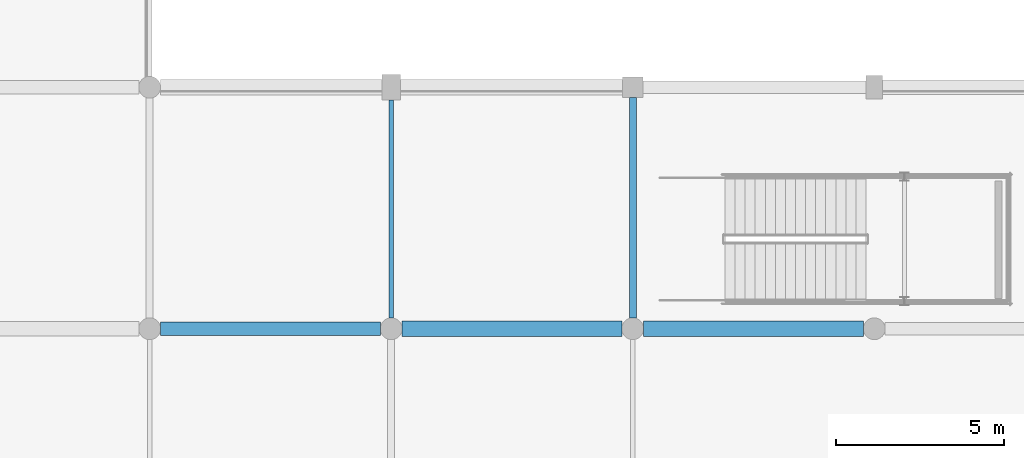
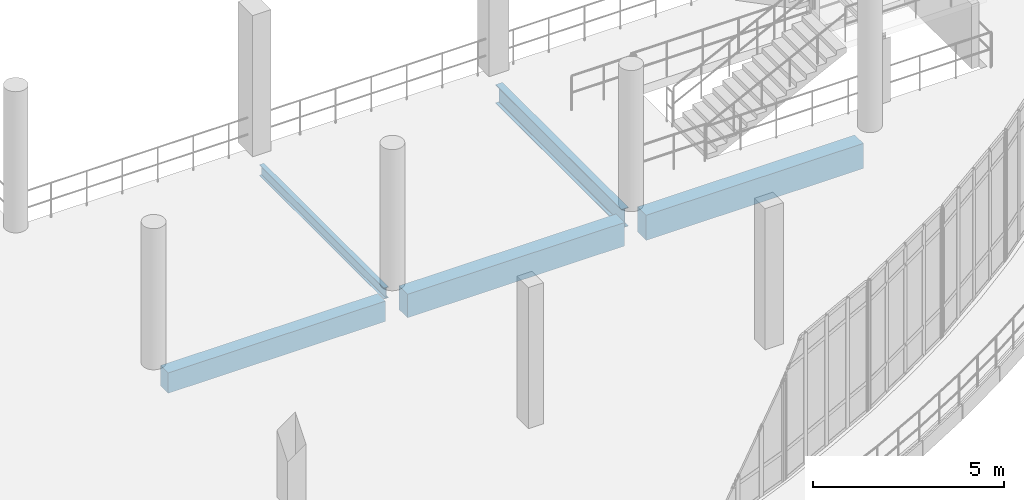
# One storey, part 38 of 124: 5 beams.
"""IFC4 building model written with IfcOpenShell, lengths in metres."""

from ifc_helpers import new_model, si_unit, direction, frame, origin, origin_2d, place, context, subcontext, project, spatial, rectangle, i_section, extrude, material, material_profile, profile_set, type_object, element, save


model = new_model("IFC4")

# Units and contexts
model_context = context("Model", 3, precision=1e-05, world=origin(), true_north=direction((0.0, 1.0)))
body_context = subcontext(model_context, "Body", "Model", "MODEL_VIEW")
ifc_project = project(units=[si_unit("LENGTHUNIT", "METRE"), si_unit("AREAUNIT", "SQUARE_METRE"), si_unit("VOLUMEUNIT", "CUBIC_METRE"), si_unit("PLANEANGLEUNIT", "RADIAN"), si_unit("MASSUNIT", "GRAM", prefix="KILO")], contexts=[model_context])

# Site, building, storey
site_placement = place(None, origin())
site = spatial("IfcSite", under=ifc_project, at=site_placement, CompositionType="ELEMENT")
building_placement = place(site_placement, origin())
building = spatial("IfcBuilding", under=site, at=building_placement, Name="Kalluvel Institute of Natural Sciences", CompositionType="ELEMENT")
storey_placement = place(building_placement, frame((0.0, 0.0, 9.89990234375)))
storey = spatial("IfcBuildingStorey", under=building, at=storey_placement, Name="L02", CompositionType="ELEMENT", Elevation=9.89990234375)

# Beams
ifc_material_1 = material(Name="Steel E350 Grade 350", Category="steel")
ifc_material_profile_1 = material_profile(ifc_material_1, i_section(OverallWidth=0.139892578125, OverallDepth=0.35009765625, WebThickness=0.008056640625, FlangeThickness=0.01416015625, FilletRadius=0.013916015625, at=origin_2d()), Name="ISMB 350")
ifc_profile_set_1 = profile_set([ifc_material_profile_1], Name="Steel E350 Grade 350")
beam_type_1 = type_object("IfcBeamType", Name="BM-ISMB350", PredefinedType="BEAM", material=ifc_profile_set_1)
beam_1_placement = place(storey_placement, frame((50.0, 71.925048828125, -0.494873046875), z_axis=(0.0, 1.0, 0.0), x_axis=(-1.0, 0.0, 0.0)))
element("IfcBeam", 1, at=beam_1_placement, inside=storey, type_object=beam_type_1, Name="L02 girder GIR-L02-NS-X500-Y716", PredefinedType="BEAM", context=body_context, shape_type="SweptSolid", body=[
    extrude(i_section(OverallWidth=0.139892578125, OverallDepth=0.35009765625, WebThickness=0.008056640625, FlangeThickness=0.01416015625, FilletRadius=0.013916015625, at=origin_2d()), origin(), (0.0, 0.0, 1.0), 6.5),
])
ifc_material_profile_2 = material_profile(ifc_material_1, i_section(OverallWidth=0.2099609375, OverallDepth=0.60009765625, WebThickness=0.011962890625, FlangeThickness=0.020751953125, FilletRadius=0.02001953125, at=origin_2d()), Name="ISMB 600")
ifc_profile_set_2 = profile_set([ifc_material_profile_2], Name="Steel E350 Grade 350")
beam_type_2 = type_object("IfcBeamType", Name="BM-ISMB600", PredefinedType="BEAM", material=ifc_profile_set_2)
beam_2_placement = place(storey_placement, frame((57.199951171875, 71.925048828125, -0.619873046875), z_axis=(0.0, 1.0, 0.0), x_axis=(-1.0, 0.0, 0.0)))
element("IfcBeam", 2, at=beam_2_placement, inside=storey, type_object=beam_type_2, Name="L02 girder GIR-L02-NS-X572-Y716", PredefinedType="BEAM", context=body_context, shape_type="SweptSolid", body=[
    extrude(i_section(OverallWidth=0.2099609375, OverallDepth=0.60009765625, WebThickness=0.011962890625, FlangeThickness=0.020751953125, FilletRadius=0.02001953125, at=origin_2d()), origin(), (0.0, 0.0, 1.0), 6.574951171875),
])
ifc_material_2 = material(Name="Concrete M40", Category="concrete")
ifc_material_profile_3 = material_profile(ifc_material_2, rectangle(XDim=0.39990234375, YDim=0.64990234375, at=origin_2d()), Name="RCB 400x650")
ifc_profile_set_3 = profile_set([ifc_material_profile_3], Name="Concrete M40")
beam_type_3 = type_object("IfcBeamType", Name="BM-RC400x650", PredefinedType="BEAM", material=ifc_profile_set_3)
beam_3_placement = place(storey_placement, frame((43.125, 71.60009765625, -0.64501953125), z_axis=(1.0, 0.0, 0.0), x_axis=(0.0, 1.0, 0.0)))
element("IfcBeam", 3, at=beam_3_placement, inside=storey, type_object=beam_type_3, Name="L02 girder GIR-L02-EW-X428-Y716", PredefinedType="BEAM", context=body_context, shape_type="SweptSolid", body=[
    extrude(rectangle(XDim=0.39990234375, YDim=0.64990234375, at=origin_2d()), origin(), (0.0, 0.0, 1.0), 6.550048828125),
])
ifc_material_profile_4 = material_profile(ifc_material_2, rectangle(XDim=0.449951171875, YDim=0.75, at=origin_2d()), Name="RCB 450x750")
ifc_profile_set_4 = profile_set([ifc_material_profile_4], Name="Concrete M40")
beam_type_4 = type_object("IfcBeamType", Name="BM-RC450x750", PredefinedType="BEAM", material=ifc_profile_set_4)
beam_4_placement = place(storey_placement, frame((50.324951171875, 71.60009765625, -0.69482421875), z_axis=(1.0, 0.0, 0.0), x_axis=(0.0, 1.0, 0.0)))
element("IfcBeam", 4, at=beam_4_placement, inside=storey, type_object=beam_type_4, Name="L02 girder GIR-L02-EW-X500-Y716", PredefinedType="BEAM", context=body_context, shape_type="SweptSolid", body=[
    extrude(rectangle(XDim=0.449951171875, YDim=0.75, at=origin_2d()), origin(), (0.0, 0.0, 1.0), 6.550048828125),
])
ifc_material_profile_5 = material_profile(ifc_material_2, rectangle(XDim=0.449951171875, YDim=0.800048828125, at=origin_2d()), Name="RCB 450x800")
ifc_profile_set_5 = profile_set([ifc_material_profile_5], Name="Concrete M40")
beam_type_5 = type_object("IfcBeamType", Name="BM-RC450x800", PredefinedType="BEAM", material=ifc_profile_set_5)
beam_5_placement = place(storey_placement, frame((57.52490234375, 71.60009765625, -0.719970703125), z_axis=(1.0, 0.0, 0.0), x_axis=(0.0, 1.0, 0.0)))
element("IfcBeam", 5, at=beam_5_placement, inside=storey, type_object=beam_type_5, Name="L02 girder GIR-L02-EW-X572-Y716", PredefinedType="BEAM", context=body_context, shape_type="SweptSolid", body=[
    extrude(rectangle(XDim=0.449951171875, YDim=0.800048828125, at=origin_2d()), origin(), (0.0, 0.0, 1.0), 6.550048828125),
])

save(model, "model.ifc")
